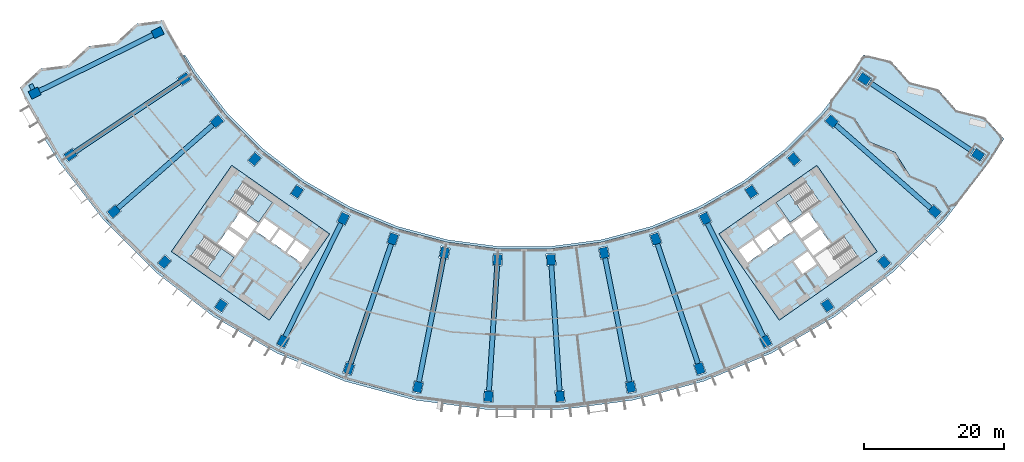
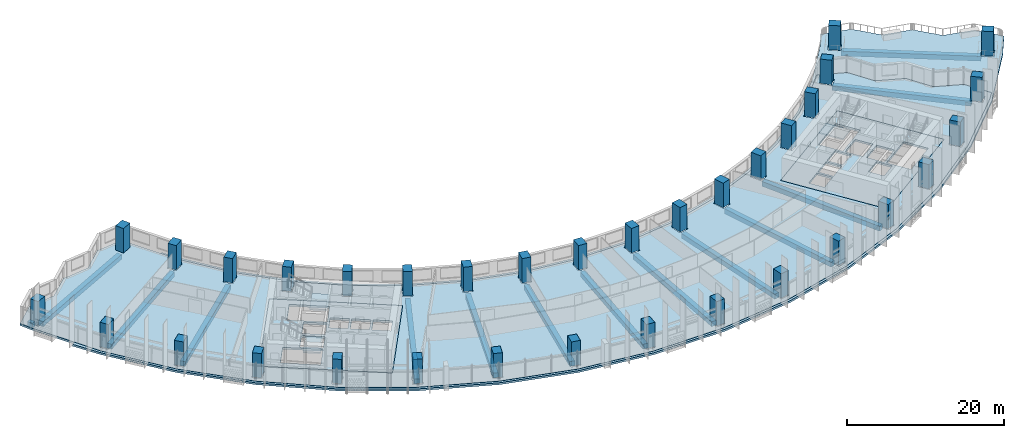
# One storey, part 1 of 33: 34 columns, 14 beams, 7 slabs, 3 elements without a shape of their own.
"""IFC4 building model written with IfcOpenShell, lengths in metres."""

from ifc_helpers import new_model, si_unit, direction, frame, origin, origin_2d, place, context, subcontext, project, spatial, polyline, rectangle, outline, extrude, material, layer, layer_set, material_profile, profile_set, type_object, element, aggregate, save


model = new_model("IFC4")

# Units and contexts
model_context = context("Model", 3, precision=1e-05, world=origin(), true_north=direction((0.0, 1.0)))
body_context = subcontext(model_context, "Body", "Model", "MODEL_VIEW")
ifc_project = project(units=[si_unit("LENGTHUNIT", "METRE"), si_unit("AREAUNIT", "SQUARE_METRE"), si_unit("VOLUMEUNIT", "CUBIC_METRE"), si_unit("PLANEANGLEUNIT", "RADIAN"), si_unit("MASSUNIT", "GRAM", prefix="KILO")], contexts=[model_context])

# Site, building, storey
site_placement = place(None, origin())
site = spatial("IfcSite", under=ifc_project, at=site_placement, CompositionType="ELEMENT")
building_placement = place(site_placement, origin())
building = spatial("IfcBuilding", under=site, at=building_placement, Name="Qamariyya Broadcast Tower", CompositionType="ELEMENT")
storey_placement = place(building_placement, frame((0.0, 0.0, 94.89990234375)))
storey = spatial("IfcBuildingStorey", under=building, at=storey_placement, Name="L20", CompositionType="ELEMENT", Elevation=94.89990234375)

# Columns
ifc_material_1 = material(Name="Concrete C70/85", Category="concrete")
ifc_material_profile_1 = material_profile(ifc_material_1, rectangle(XDim=1.199951171875, YDim=1.5, at=origin_2d()))
ifc_profile_set_1 = profile_set([ifc_material_profile_1], Name="Concrete C70/85")
column_type_1 = type_object("IfcColumnType", Name="RC column 1200 x 1500 C70/85", PredefinedType="COLUMN", material=ifc_profile_set_1)
for number, where, z_axis, x_axis, name in (
    (1, (-48.43310546875, -32.362060546875, 0.0), (0.0, 0.0, 1.0), (0.55557023302, -0.831469612303, 0.0), "Column C7 L20 B-R03"),
    (2, (-64.646728515625, -43.195556640625, 0.0), (0.0, 0.0, 1.0), (0.55557023302, -0.831469612303, 0.0), "Column C7 L20 C-R03"),
    (3, (-43.794677734375, -38.406982421875, 0.0), (0.0, 0.0, 1.0), (0.6593458151, -0.751839807479, 0.0), "Column C7 L20 B-R04"),
    (4, (-58.45556640625, -51.26416015625, 0.0), (0.0, 0.0, 1.0), (0.6593458151, -0.751839807479, 0.0), "Column C7 L20 C-R04"),
    (5, (-38.406982421875, -43.794677734375, 0.0), (0.0, 0.0, 1.0), (0.751839807479, -0.6593458151, 0.0), "Column C7 L20 B-R05"),
    (6, (-51.26416015625, -58.45556640625, 0.0), (0.0, 0.0, 1.0), (0.751839807479, -0.6593458151, 0.0), "Column C7 L20 C-R05"),
    (7, (-32.362060546875, -48.43310546875, 0.0), (0.0, 0.0, 1.0), (0.831469612303, -0.55557023302, 0.0), "Column C7 L20 B-R06"),
    (8, (-43.195556640625, -64.646728515625, 0.0), (0.0, 0.0, 1.0), (0.831469612303, -0.55557023302, 0.0), "Column C7 L20 C-R06"),
    (9, (-25.763427734375, -52.242919921875, 0.0), (0.0, 0.0, 1.0), (0.896872741533, -0.442288690219, 0.0), "Column C7 L20 B-R07"),
    (10, (-34.387939453125, -69.73193359375, 0.0), (0.0, 0.0, 1.0), (0.896872741533, -0.442288690219, 0.0), "Column C7 L20 C-R07"),
    (11, (-18.723876953125, -55.15869140625, 0.0), (0.0, 0.0, 1.0), (0.946930129495, -0.321439465303, 0.0), "Column C7 L20 B-R08"),
    (12, (-24.991943359375, -73.623779296875, 0.0), (0.0, 0.0, 1.0), (0.946930129495, -0.321439465303, 0.0), "Column C7 L20 C-R08"),
    (13, (-11.364013671875, -57.130859375, 0.0), (0.0, 0.0, 1.0), (0.980785280403, -0.195090322016, 0.0), "Column C7 L20 B-R09"),
    (14, (-15.168212890625, -76.256103515625, 0.0), (0.0, 0.0, 1.0), (0.980785280403, -0.195090322016, 0.0), "Column C7 L20 C-R09"),
    (15, (-3.809814453125, -58.125244140625, 0.0), (0.0, 0.0, 1.0), (0.997858923239, -0.06540312923, 0.0), "Column C7 L20 B-R10"),
    (16, (-5.085205078125, -77.58349609375, 0.0), (0.0, 0.0, 1.0), (0.997858923239, -0.06540312923, 0.0), "Column C7 L20 C-R10"),
    (17, (3.809814453125, -58.125244140625, 0.0), (0.0, 0.0, 1.0), (0.997858923239, 0.06540312923, 0.0), "Column C7 L20 B-R11"),
    (18, (5.085205078125, -77.58349609375, 0.0), (0.0, 0.0, 1.0), (0.997858923239, 0.06540312923, 0.0), "Column C7 L20 C-R11"),
    (19, (11.364013671875, -57.130859375, 0.0), (0.0, 0.0, 1.0), (0.980785280403, 0.195090322016, 0.0), "Column C7 L20 B-R12"),
    (20, (15.168212890625, -76.256103515625, 0.0), (0.0, 0.0, 1.0), (0.980785280403, 0.195090322016, 0.0), "Column C7 L20 C-R12"),
    (21, (18.723876953125, -55.15869140625, 0.0), (0.0, 0.0, 1.0), (0.946930129495, 0.321439465303, 0.0), "Column C7 L20 B-R13"),
    (22, (24.991943359375, -73.623779296875, 0.0), (0.0, 0.0, 1.0), (0.946930129495, 0.321439465303, 0.0), "Column C7 L20 C-R13"),
    (23, (25.763427734375, -52.242919921875, 0.0), (0.0, 0.0, 1.0), (0.896872741533, 0.442288690219, 0.0), "Column C7 L20 B-R14"),
    (24, (34.387939453125, -69.73193359375, 0.0), (0.0, 0.0, 1.0), (0.896872741533, 0.442288690219, 0.0), "Column C7 L20 C-R14"),
    (25, (32.362060546875, -48.43310546875, 0.0), (0.0, 0.0, 1.0), (0.831469612303, 0.55557023302, 0.0), "Column C7 L20 B-R15"),
    (26, (43.195556640625, -64.646728515625, 0.0), (0.0, 0.0, 1.0), (0.831469612303, 0.55557023302, 0.0), "Column C7 L20 C-R15"),
    (27, (38.406982421875, -43.794677734375, 0.0), (0.0, 0.0, 1.0), (0.751839807479, 0.6593458151, 0.0), "Column C7 L20 B-R16"),
    (28, (51.26416015625, -58.45556640625, 0.0), (0.0, 0.0, 1.0), (0.751839807479, 0.6593458151, 0.0), "Column C7 L20 C-R16"),
    (29, (43.794677734375, -38.406982421875, 0.0), (0.0, 0.0, 1.0), (0.6593458151, 0.751839807479, 0.0), "Column C7 L20 B-R17"),
    (30, (58.45556640625, -51.26416015625, 0.0), (0.0, 0.0, 1.0), (0.6593458151, 0.751839807479, 0.0), "Column C7 L20 C-R17"),
    (31, (48.43310546875, -32.362060546875, 0.0), (0.0, 0.0, 1.0), (0.55557023302, 0.831469612303, 0.0), "Column C7 L20 B-R18"),
    (32, (64.646728515625, -43.195556640625, 0.0), (0.0, 0.0, 1.0), (0.55557023302, 0.831469612303, 0.0), "Column C7 L20 C-R18"),
):
    element("IfcColumn", number, at=place(storey_placement, frame(where, z_axis=z_axis, x_axis=x_axis)), inside=storey, type_object=column_type_1, Name=name, PredefinedType="COLUMN", context=body_context, shape_type="SweptSolid", body=[
        extrude(rectangle(XDim=1.199951171875, YDim=1.5, at=origin_2d()), origin(), (0.0, 0.0, 1.0), 3.800048828125),
    ])
ifc_material_profile_2 = material_profile(ifc_material_1, rectangle(XDim=1.199951171875, YDim=1.5, at=origin_2d()))
ifc_profile_set_2 = profile_set([ifc_material_profile_2], Name="Concrete C70/85")
column_type_2 = type_object("IfcColumnType", Name="RC column 1200 x 1500 C70/85 on transfer truss", PredefinedType="COLUMN", material=ifc_profile_set_2)
for number, where, z_axis, x_axis, name in (
    (33, (-52.242919921875, -25.763427734375, -0.2998046875), (0.0, 0.0, 1.0), (0.442288690219, -0.896872741533, 0.0), "Column C6 L20 B-R02"),
    (34, (-69.73193359375, -34.387939453125, -0.2998046875), (0.0, 0.0, 1.0), (0.442288690219, -0.896872741533, 0.0), "Column C6 L20 C-R02"),
):
    element("IfcColumn", number, at=place(storey_placement, frame(where, z_axis=z_axis, x_axis=x_axis)), inside=storey, type_object=column_type_2, Name=name, PredefinedType="COLUMN", context=body_context, shape_type="SweptSolid", body=[
        extrude(rectangle(XDim=1.199951171875, YDim=1.5, at=origin_2d()), origin(), (0.0, 0.0, 1.0), 4.099853515625),
    ])

# Beams
ifc_material_2 = material(Name="Concrete C50/60", Category="concrete")
ifc_material_profile_3 = material_profile(ifc_material_2, rectangle(XDim=0.60009765625, YDim=0.75, at=origin_2d()))
ifc_profile_set_3 = profile_set([ifc_material_profile_3], Name="Concrete C50/60")
beam_type_1 = type_object("IfcBeamType", Name="RC horn beam 600 x 750 C50/60", PredefinedType="BEAM", material=ifc_profile_set_3)
beam_1_placement = place(storey_placement, frame((-69.99169921875, -33.846923828125, -0.6748046875), z_axis=(-0.432975850552, 0.90140552075, 0.0), x_axis=(-0.90140552075, -0.432975850552, 0.0)))
element("IfcBeam", 35, at=beam_1_placement, inside=storey, type_object=beam_type_1, Name="Horn beam B14 L20 W C-R02", PredefinedType="BEAM", context=body_context, shape_type="SweptSolid", body=[
    extrude(rectangle(XDim=0.60009765625, YDim=0.75, at=origin_2d()), origin(), (0.0, 0.0, 1.0), 0.778076171875),
])
ifc_material_profile_4 = material_profile(ifc_material_2, rectangle(XDim=0.699951171875, YDim=0.75, at=origin_2d()))
ifc_profile_set_4 = profile_set([ifc_material_profile_4], Name="Concrete C50/60")
beam_type_2 = type_object("IfcBeamType", Name="RC radial beam 700 x 750 C50/60", PredefinedType="BEAM", material=ifc_profile_set_4)
beam_2_placement = place(storey_placement, frame((-52.91552734375, -26.094970703125, -0.6748046875), z_axis=(-0.896871386501, -0.442291437941, 0.0), x_axis=(0.442291437941, -0.896871386501, 0.0)))
element("IfcBeam", 36, at=beam_2_placement, inside=storey, type_object=beam_type_2, Name="Radial beam B13 L20 R02 B-C", PredefinedType="BEAM", context=body_context, shape_type="SweptSolid", body=[
    extrude(rectangle(XDim=0.699951171875, YDim=0.75, at=origin_2d()), origin(), (0.0, 0.0, 1.0), 17.999755859375),
])
beam_3_placement = place(storey_placement, frame((-49.056640625, -32.778564453125, -0.6748046875), z_axis=(-0.831471836778, -0.555566903843, 0.0), x_axis=(0.555566903843, -0.831471836778, 0.0)))
element("IfcBeam", 37, at=beam_3_placement, inside=storey, type_object=beam_type_2, Name="Radial beam B13 L20 R03 B-C", PredefinedType="BEAM", context=body_context, shape_type="SweptSolid", body=[
    extrude(rectangle(XDim=0.699951171875, YDim=0.75, at=origin_2d()), origin(), (0.0, 0.0, 1.0), 18.0),
])
for number, where, z_axis, x_axis, name in (
    (38, (-44.358642578125, -38.9013671875, -0.6748046875), (-0.751837671483, -0.659348250729, 0.0), (0.659348250729, -0.751837671483, 0.0), "Radial beam B13 L20 R04 B-C"),
    (39, (-26.094970703125, -52.91552734375, -0.6748046875), (-0.442291437941, -0.896871386501, 0.0), (0.896871386501, -0.442291437941, 0.0), "Radial beam B13 L20 R07 B-C"),
):
    element("IfcBeam", number, at=place(storey_placement, frame(where, z_axis=z_axis, x_axis=x_axis)), inside=storey, type_object=beam_type_2, Name=name, PredefinedType="BEAM", context=body_context, shape_type="SweptSolid", body=[
        extrude(rectangle(XDim=0.699951171875, YDim=0.75, at=origin_2d()), origin(), (0.0, 0.0, 1.0), 17.999755859375),
    ])
beam_4_placement = place(storey_placement, frame((-18.96484375, -55.868896484375, -0.6748046875), z_axis=(-0.321439476461, -0.946930125707, 0.0), x_axis=(0.946930125707, -0.321439476461, 0.0)))
element("IfcBeam", 40, at=beam_4_placement, inside=storey, type_object=beam_type_2, Name="Radial beam B13 L20 R08 B-C", PredefinedType="BEAM", context=body_context, shape_type="SweptSolid", body=[
    extrude(rectangle(XDim=0.699951171875, YDim=0.75, at=origin_2d()), origin(), (0.0, 0.0, 1.0), 18.0),
])
beam_5_placement = place(storey_placement, frame((-11.51025390625, -57.8662109375, -0.6748046875), z_axis=(-0.195093569287, -0.980784634475, 0.0), x_axis=(0.980784634475, -0.195093569287, 0.0)))
element("IfcBeam", 41, at=beam_5_placement, inside=storey, type_object=beam_type_2, Name="Radial beam B13 L20 R09 B-C", PredefinedType="BEAM", context=body_context, shape_type="SweptSolid", body=[
    extrude(rectangle(XDim=0.699951171875, YDim=0.75, at=origin_2d()), origin(), (0.0, 0.0, 1.0), 18.000244140625),
])
for number, where, z_axis, x_axis, name in (
    (42, (-3.85888671875, -58.873779296875, -0.6748046875), (-0.065402689504, -0.99785895206, 0.0), (0.99785895206, -0.065402689504, 0.0), "Radial beam B13 L20 R10 B-C"),
    (43, (3.85888671875, -58.873779296875, -0.6748046875), (0.065402689504, -0.99785895206, 0.0), (0.99785895206, 0.065402689504, 0.0), "Radial beam B13 L20 R11 B-C"),
):
    element("IfcBeam", number, at=place(storey_placement, frame(where, z_axis=z_axis, x_axis=x_axis)), inside=storey, type_object=beam_type_2, Name=name, PredefinedType="BEAM", context=body_context, shape_type="SweptSolid", body=[
        extrude(rectangle(XDim=0.699951171875, YDim=0.75, at=origin_2d()), origin(), (0.0, 0.0, 1.0), 18.0),
    ])
beam_6_placement = place(storey_placement, frame((11.51025390625, -57.8662109375, -0.6748046875), z_axis=(0.195093569287, -0.980784634475, 0.0), x_axis=(0.980784634475, 0.195093569287, 0.0)))
element("IfcBeam", 44, at=beam_6_placement, inside=storey, type_object=beam_type_2, Name="Radial beam B13 L20 R12 B-C", PredefinedType="BEAM", context=body_context, shape_type="SweptSolid", body=[
    extrude(rectangle(XDim=0.699951171875, YDim=0.75, at=origin_2d()), origin(), (0.0, 0.0, 1.0), 18.000244140625),
])
beam_7_placement = place(storey_placement, frame((18.96484375, -55.868896484375, -0.6748046875), z_axis=(0.321439476461, -0.946930125707, 0.0), x_axis=(0.946930125707, 0.321439476461, 0.0)))
element("IfcBeam", 45, at=beam_7_placement, inside=storey, type_object=beam_type_2, Name="Radial beam B13 L20 R13 B-C", PredefinedType="BEAM", context=body_context, shape_type="SweptSolid", body=[
    extrude(rectangle(XDim=0.699951171875, YDim=0.75, at=origin_2d()), origin(), (0.0, 0.0, 1.0), 18.0),
])
for number, where, z_axis, x_axis, name in (
    (46, (26.094970703125, -52.91552734375, -0.6748046875), (0.442291437941, -0.896871386501, 0.0), (0.896871386501, 0.442291437941, 0.0), "Radial beam B13 L20 R14 B-C"),
    (47, (44.358642578125, -38.9013671875, -0.6748046875), (0.751837671483, -0.659348250729, 0.0), (0.659348250729, 0.751837671483, 0.0), "Radial beam B13 L20 R17 B-C"),
):
    element("IfcBeam", number, at=place(storey_placement, frame(where, z_axis=z_axis, x_axis=x_axis)), inside=storey, type_object=beam_type_2, Name=name, PredefinedType="BEAM", context=body_context, shape_type="SweptSolid", body=[
        extrude(rectangle(XDim=0.699951171875, YDim=0.75, at=origin_2d()), origin(), (0.0, 0.0, 1.0), 17.999755859375),
    ])
beam_8_placement = place(storey_placement, frame((49.139892578125, -32.834228515625, -0.6748046875), z_axis=(0.831467440413, -0.555573483469, 0.0), x_axis=(0.555573483469, 0.831467440413, 0.0)))
element("IfcBeam", 48, at=beam_8_placement, inside=storey, type_object=beam_type_2, Name="Radial beam B13 L20 R18 B-C", PredefinedType="BEAM", context=body_context, shape_type="SweptSolid", body=[
    extrude(rectangle(XDim=0.699951171875, YDim=0.75, at=origin_2d()), origin(), (0.0, 0.0, 1.0), 17.7998046875),
])

# Slabs
ifc_material_3 = material(Name="Concrete C40/50", Category="concrete")
ifc_layer_1 = layer(ifc_material_3, 0.300048828125)
ifc_layer_set_1 = layer_set([ifc_layer_1], Name="Core floor slab 300 mm Concrete C40/50")
slab_type_1 = type_object("IfcSlabType", Name="Core floor slab 300 mm Concrete C40/50", PredefinedType="FLOOR", material=ifc_layer_set_1)
slab_1_placement = place(storey_placement, frame((0.0, 0.0, -0.2998046875)))
element("IfcSlab", 49, at=slab_1_placement, inside=storey, type_object=slab_type_1, Name="k-W-L20-slab", PredefinedType="FLOOR", context=body_context, shape_type="SweptSolid", body=[
    extrude(outline(polyline([(-50.286376953125, -56.95751953125), (-36.32373046875, -66.734375), (-27.719970703125, -54.447021484375), (-41.6826171875, -44.67041015625), (-50.286376953125, -56.95751953125)]), holes=[polyline([(-31.80859375, -58.542724609375), (-33.8154296875, -57.137451171875), (-32.5537109375, -55.335205078125), (-30.546630859375, -56.740478515625), (-31.80859375, -58.542724609375)]), polyline([(-34.061279296875, -56.96533203125), (-36.068115234375, -55.56005859375), (-34.806396484375, -53.758056640625), (-32.79931640625, -55.163330078125), (-34.061279296875, -56.96533203125)]), polyline([(-36.31396484375, -55.387939453125), (-38.32080078125, -53.982666015625), (-37.058837890625, -52.1806640625), (-35.052001953125, -53.5859375), (-36.31396484375, -55.387939453125)]), polyline([(-39.742431640625, -55.489990234375), (-42.199951171875, -53.769287109375), (-43.6337890625, -55.817138671875), (-41.17626953125, -57.537841796875), (-39.742431640625, -55.489990234375)]), polyline([(-39.45556640625, -55.080322265625), (-41.9130859375, -53.359619140625), (-40.47900390625, -51.311767578125), (-38.021728515625, -53.032470703125), (-39.45556640625, -55.080322265625)]), polyline([(-42.06103515625, -49.837890625), (-37.849609375, -52.78662109375), (-35.870849609375, -49.960693359375), (-40.082275390625, -47.01171875), (-42.06103515625, -49.837890625)]), polyline([(-47.538818359375, -57.66064453125), (-43.3271484375, -60.609619140625), (-41.348388671875, -57.783447265625), (-45.559814453125, -54.834716796875), (-47.538818359375, -57.66064453125)])]), origin(), (0.0, 0.0, 1.0), 0.2998046875),
])
slab_2_placement = place(storey_placement, frame((0.0, 0.0, -0.2998046875)))
element("IfcSlab", 50, at=slab_2_placement, inside=storey, type_object=slab_type_1, Name="k-E-L20-slab", PredefinedType="FLOOR", context=body_context, shape_type="SweptSolid", body=[
    extrude(outline(polyline([(36.32373046875, -66.734375), (50.286376953125, -56.95751953125), (41.6826171875, -44.67041015625), (27.719970703125, -54.447021484375), (36.32373046875, -66.734375)]), holes=[polyline([(31.80859375, -58.542724609375), (33.8154296875, -57.137451171875), (32.5537109375, -55.335205078125), (30.546630859375, -56.740478515625), (31.80859375, -58.542724609375)]), polyline([(34.061279296875, -56.96533203125), (36.068115234375, -55.56005859375), (34.806396484375, -53.758056640625), (32.79931640625, -55.163330078125), (34.061279296875, -56.96533203125)]), polyline([(36.31396484375, -55.387939453125), (38.32080078125, -53.982666015625), (37.058837890625, -52.1806640625), (35.052001953125, -53.5859375), (36.31396484375, -55.387939453125)]), polyline([(38.378662109375, -58.3369140625), (40.3857421875, -56.931640625), (41.6474609375, -58.73388671875), (39.640625, -60.13916015625), (38.378662109375, -58.3369140625)]), polyline([(39.742431640625, -55.489990234375), (42.199951171875, -53.769287109375), (43.6337890625, -55.817138671875), (41.17626953125, -57.537841796875), (39.742431640625, -55.489990234375)]), polyline([(39.45556640625, -55.080322265625), (41.9130859375, -53.359619140625), (40.47900390625, -51.311767578125), (38.021728515625, -53.032470703125), (39.45556640625, -55.080322265625)]), polyline([(40.082275390625, -47.01171875), (35.870849609375, -49.960693359375), (37.849609375, -52.78662109375), (42.06103515625, -49.837890625), (40.082275390625, -47.01171875)]), polyline([(45.559814453125, -54.834716796875), (41.348388671875, -57.783447265625), (43.3271484375, -60.609619140625), (47.538818359375, -57.66064453125), (45.559814453125, -54.834716796875)])]), origin(), (0.0, 0.0, 1.0), 0.2998046875),
])
ifc_layer_2 = layer(ifc_material_3, 0.300048828125)
ifc_layer_set_2 = layer_set([ifc_layer_2], Name="Post-tensioned floor slab 300 C40/50")
slab_type_2 = type_object("IfcSlabType", Name="Post-tensioned floor slab 300 C40/50", PredefinedType="FLOOR", material=ifc_layer_set_2)
slab_3_placement = place(storey_placement, frame((0.0, 0.0, -0.2998046875)))
element("IfcSlab", 51, at=slab_3_placement, inside=storey, type_object=slab_type_2, Name="Floor slab S4 L20", PredefinedType="FLOOR", context=body_context, shape_type="SweptSolid", body=[
    extrude(outline(polyline([(-68.927978515625, -30.890380859375), (-71.8408203125, -33.576416015625), (-71.1220703125, -35.073486328125), (-65.935546875, -44.056640625), (-59.620849609375, -52.2861328125), (-52.2861328125, -59.620849609375), (-44.056640625, -65.935546875), (-35.073486328125, -71.1220703125), (-25.490234375, -75.091552734375), (-15.470703125, -77.7763671875), (-5.1865234375, -79.130126953125), (5.1865234375, -79.130126953125), (15.470703125, -77.7763671875), (25.490234375, -75.091552734375), (35.073486328125, -71.1220703125), (44.056640625, -65.935546875), (52.2861328125, -59.620849609375), (59.620849609375, -52.2861328125), (60.702880859375, -51.026123046875), (58.584228515625, -47.677734375), (54.936279296875, -46.1787109375), (52.81689453125, -42.82958984375), (49.16943359375, -41.331298828125), (47.04931640625, -37.9814453125), (43.40283203125, -36.48388671875), (42.62939453125, -37.385009765625), (37.385009765625, -42.62939453125), (31.500732421875, -47.144287109375), (25.077880859375, -50.852783203125), (18.2255859375, -53.69091796875), (11.0615234375, -55.610595703125), (3.708251953125, -56.57861328125), (-3.708251953125, -56.57861328125), (-11.0615234375, -55.610595703125), (-18.2255859375, -53.69091796875), (-25.077880859375, -50.852783203125), (-31.500732421875, -47.144287109375), (-37.385009765625, -42.62939453125), (-42.62939453125, -37.385009765625), (-47.144287109375, -31.500732421875), (-50.852783203125, -25.077880859375), (-51.36669921875, -24.00732421875), (-55.2763671875, -24.510009765625), (-58.19140625, -27.197021484375), (-62.102294921875, -27.7001953125), (-65.01611328125, -30.38671875), (-68.927978515625, -30.890380859375)]), holes=[polyline([(-5.789306640625, -78.38916015625), (-5.67822265625, -76.69287109375), (-4.380859375, -76.77783203125), (-4.4921875, -78.47412109375), (-5.789306640625, -78.38916015625)]), polyline([(-15.9716796875, -76.962890625), (-15.639892578125, -75.295654296875), (-14.364990234375, -75.54931640625), (-14.696533203125, -77.216552734375), (-15.9716796875, -76.962890625)]), polyline([(-25.880615234375, -74.2197265625), (-25.334228515625, -72.610107421875), (-24.103271484375, -73.02783203125), (-24.649658203125, -74.6376953125), (-25.880615234375, -74.2197265625)]), polyline([(-35.346923828125, -70.206787109375), (-34.594970703125, -68.68212890625), (-33.428955078125, -69.257080078125), (-34.180908203125, -70.78173828125), (-35.346923828125, -70.206787109375)]), polyline([(-44.208251953125, -64.992431640625), (-43.263916015625, -63.578857421875), (-42.182861328125, -64.301025390625), (-43.12744140625, -65.714599609375), (-44.208251953125, -64.992431640625)]), polyline([(-52.313232421875, -58.666015625), (-51.1923828125, -57.387939453125), (-50.215087890625, -58.2451171875), (-51.3359375, -59.523193359375), (-52.313232421875, -58.666015625)]), polyline([(-12.167236328125, -57.837646484375), (-11.835693359375, -56.170166015625), (-10.560791015625, -56.423828125), (-10.892333984375, -58.09130859375), (-12.167236328125, -57.837646484375)]), polyline([(-41.6826171875, -44.67041015625), (-27.719970703125, -54.447021484375), (-36.32373046875, -66.734375), (-50.286376953125, -56.95751953125), (-41.6826171875, -44.67041015625)]), polyline([(-19.066162109375, -54.144775390625), (-17.835205078125, -54.562744140625), (-18.381591796875, -56.172607421875), (-19.612548828125, -55.754638671875), (-19.066162109375, -54.144775390625)]), polyline([(-26.72216796875, -52.7177734375), (-25.970458984375, -51.193115234375), (-24.804443359375, -51.76806640625), (-25.556396484375, -53.292724609375), (-26.72216796875, -52.7177734375)]), polyline([(-59.523193359375, -51.3359375), (-58.2451171875, -50.215087890625), (-57.387939453125, -51.1923828125), (-58.666015625, -52.313232421875), (-59.523193359375, -51.3359375)]), polyline([(-33.374755859375, -48.77880859375), (-32.43017578125, -47.365234375), (-31.349365234375, -48.08740234375), (-32.293701171875, -49.5009765625), (-33.374755859375, -48.77880859375)]), polyline([(-39.4560546875, -44.005126953125), (-38.335205078125, -42.72705078125), (-37.357666015625, -43.584228515625), (-38.478759765625, -44.8623046875), (-39.4560546875, -44.005126953125)]), polyline([(-65.714599609375, -43.12744140625), (-64.301025390625, -42.182861328125), (-63.578857421875, -43.263916015625), (-64.992431640625, -44.208251953125), (-65.714599609375, -43.12744140625)]), polyline([(-44.8623046875, -38.478759765625), (-43.584228515625, -37.357666015625), (-42.72705078125, -38.335205078125), (-44.005126953125, -39.4560546875), (-44.8623046875, -38.478759765625)]), polyline([(-70.669921875, -34.181640625), (-69.324462890625, -33.51806640625), (-68.7939453125, -34.59423828125), (-70.13916015625, -35.2578125), (-70.669921875, -34.181640625)]), polyline([(-48.08740234375, -31.349365234375), (-47.365234375, -32.43017578125), (-48.77880859375, -33.374755859375), (-49.5009765625, -32.293701171875), (-48.08740234375, -31.349365234375)]), polyline([(-51.83544921875, -24.8935546875), (-51.3046875, -25.9697265625), (-52.650146484375, -26.633056640625), (-53.180908203125, -25.556884765625), (-51.83544921875, -24.8935546875)]), polyline([(4.4921875, -78.47412109375), (4.380859375, -76.77783203125), (5.67822265625, -76.69287109375), (5.789306640625, -78.38916015625), (4.4921875, -78.47412109375)]), polyline([(14.696533203125, -77.216552734375), (14.364990234375, -75.54931640625), (15.639892578125, -75.295654296875), (15.9716796875, -76.962890625), (14.696533203125, -77.216552734375)]), polyline([(24.649658203125, -74.6376953125), (24.103271484375, -73.02783203125), (25.334228515625, -72.610107421875), (25.880615234375, -74.2197265625), (24.649658203125, -74.6376953125)]), polyline([(34.180908203125, -70.78173828125), (33.428955078125, -69.257080078125), (34.594970703125, -68.68212890625), (35.346923828125, -70.206787109375), (34.180908203125, -70.78173828125)]), polyline([(43.12744140625, -65.714599609375), (42.182861328125, -64.301025390625), (43.263916015625, -63.578857421875), (44.208251953125, -64.992431640625), (43.12744140625, -65.714599609375)]), polyline([(51.3359375, -59.523193359375), (50.215087890625, -58.2451171875), (51.1923828125, -57.387939453125), (52.313232421875, -58.666015625), (51.3359375, -59.523193359375)]), polyline([(3.216796875, -59.015869140625), (3.10546875, -57.319580078125), (4.40283203125, -57.234619140625), (4.513916015625, -58.930908203125), (3.216796875, -59.015869140625)]), polyline([(-4.40283203125, -57.234619140625), (-3.10546875, -57.319580078125), (-3.216796875, -59.015869140625), (-4.513916015625, -58.930908203125), (-4.40283203125, -57.234619140625)]), polyline([(10.560791015625, -56.423828125), (11.835693359375, -56.170166015625), (12.167236328125, -57.837646484375), (10.892333984375, -58.09130859375), (10.560791015625, -56.423828125)]), polyline([(36.32373046875, -66.734375), (27.719970703125, -54.447021484375), (41.6826171875, -44.67041015625), (50.286376953125, -56.95751953125), (36.32373046875, -66.734375)]), polyline([(18.381591796875, -56.172607421875), (17.835205078125, -54.562744140625), (19.066162109375, -54.144775390625), (19.612548828125, -55.754638671875), (18.381591796875, -56.172607421875)]), polyline([(25.556396484375, -53.292724609375), (24.804443359375, -51.76806640625), (25.970458984375, -51.193115234375), (26.72216796875, -52.7177734375), (25.556396484375, -53.292724609375)]), polyline([(58.666015625, -52.313232421875), (57.387939453125, -51.1923828125), (58.2451171875, -50.215087890625), (59.523193359375, -51.3359375), (58.666015625, -52.313232421875)]), polyline([(32.293701171875, -49.5009765625), (31.349365234375, -48.08740234375), (32.43017578125, -47.365234375), (33.374755859375, -48.77880859375), (32.293701171875, -49.5009765625)]), polyline([(38.478759765625, -44.8623046875), (37.357666015625, -43.584228515625), (38.335205078125, -42.72705078125), (39.4560546875, -44.005126953125), (38.478759765625, -44.8623046875)]), polyline([(42.72705078125, -38.335205078125), (43.584228515625, -37.357666015625), (44.8623046875, -38.478759765625), (44.005126953125, -39.4560546875), (42.72705078125, -38.335205078125)])]), origin(), (0.0, 0.0, 1.0), 0.2998046875),
])
ifc_layer_3 = layer(ifc_material_3, 0.300048828125)
ifc_layer_set_3 = layer_set([ifc_layer_3], Name="Roof slab 300 C40/50")
slab_type_3 = type_object("IfcSlabType", Name="Roof slab 300 C40/50", PredefinedType="ROOF", material=ifc_layer_set_3)
slab_4_placement = place(storey_placement, frame((0.0, 0.0, -0.2998046875)))
element("IfcSlab", 52, at=slab_4_placement, inside=storey, type_object=slab_type_3, Name="Terrace slab S6 L20", PredefinedType="ROOF", context=body_context, shape_type="SweptSolid", body=[
    extrude(outline(polyline([(-42.3662109375, -37.154052734375), (-46.853271484375, -31.306396484375), (-48.348388671875, -28.94384765625), (-48.5869140625, -29.001953125), (-47.144287109375, -31.500732421875), (-42.62939453125, -37.385009765625), (-37.385009765625, -42.62939453125), (-31.500732421875, -47.144287109375), (-25.077880859375, -50.852783203125), (-18.2255859375, -53.69091796875), (-11.0615234375, -55.610595703125), (-3.708251953125, -56.57861328125), (3.708251953125, -56.57861328125), (11.0615234375, -55.610595703125), (18.2255859375, -53.69091796875), (25.077880859375, -50.852783203125), (31.500732421875, -47.144287109375), (37.385009765625, -42.62939453125), (42.62939453125, -37.385009765625), (43.40283203125, -36.48388671875), (47.04931640625, -37.9814453125), (49.16943359375, -41.331298828125), (52.81689453125, -42.82958984375), (54.936279296875, -46.1787109375), (58.584228515625, -47.677734375), (60.702880859375, -51.026123046875), (59.620849609375, -52.2861328125), (52.2861328125, -59.620849609375), (44.056640625, -65.935546875), (35.073486328125, -71.1220703125), (25.490234375, -75.091552734375), (15.470703125, -77.7763671875), (5.1865234375, -79.130126953125), (-5.1865234375, -79.130126953125), (-15.470703125, -77.7763671875), (-25.490234375, -75.091552734375), (-35.073486328125, -71.1220703125), (-44.056640625, -65.935546875), (-52.2861328125, -59.620849609375), (-59.620849609375, -52.2861328125), (-65.935546875, -44.056640625), (-67.9814453125, -40.51318359375), (-68.33984375, -40.911865234375), (-66.2265625, -44.251220703125), (-59.884033203125, -52.516845703125), (-52.516845703125, -59.884033203125), (-44.251220703125, -66.2265625), (-35.228271484375, -71.43603515625), (-25.6025390625, -75.423095703125), (-15.5390625, -78.11962890625), (-5.20947265625, -79.4794921875), (5.20947265625, -79.4794921875), (15.5390625, -78.11962890625), (25.6025390625, -75.423095703125), (35.228271484375, -71.43603515625), (44.251220703125, -66.2265625), (52.516845703125, -59.884033203125), (59.884033203125, -52.516845703125), (66.2265625, -44.251220703125), (68.33984375, -40.911865234375), (65.6162109375, -37.8828125), (61.676025390625, -36.922607421875), (58.951416015625, -33.892822265625), (55.01220703125, -32.933349609375), (52.286376953125, -29.90283203125), (48.348388671875, -28.94384765625), (46.853271484375, -31.306396484375), (42.3662109375, -37.154052734375), (37.154052734375, -42.3662109375), (31.306396484375, -46.853271484375), (24.9228515625, -50.538818359375), (18.113037109375, -53.359619140625), (10.993408203125, -55.267333984375), (3.685546875, -56.229248046875), (-3.685546875, -56.229248046875), (-10.993408203125, -55.267333984375), (-18.113037109375, -53.359619140625), (-24.9228515625, -50.538818359375), (-31.306396484375, -46.853271484375), (-37.154052734375, -42.3662109375), (-42.3662109375, -37.154052734375)]), holes=[polyline([(64.992431640625, -44.208251953125), (63.578857421875, -43.263916015625), (64.301025390625, -42.182861328125), (65.714599609375, -43.12744140625), (64.992431640625, -44.208251953125)]), polyline([(48.77880859375, -33.374755859375), (47.365234375, -32.43017578125), (48.08740234375, -31.349365234375), (49.5009765625, -32.293701171875), (48.77880859375, -33.374755859375)])]), origin(), (0.0, 0.0, 1.0), 0.2998046875),
])

# Stair, slab
stair_type = type_object("IfcStairType", Name="Exit stair 22 risers of 173 mm", PredefinedType="HALF_TURN_STAIR", material=ifc_material_2)
stair_1_placement = place(storey_placement, origin())
stair_1 = element("IfcStair", 53, at=stair_1_placement, inside=storey, type_object=stair_type, Name="L20 Stair W2", PredefinedType="HALF_TURN_STAIR")
ifc_layer_4 = layer(ifc_material_2, 0.199951171875)
ifc_layer_set_4 = layer_set([ifc_layer_4], Name="Stair landing")
slab_type_4 = type_object("IfcSlabType", Name="Stair landing", PredefinedType="LANDING", material=ifc_layer_set_4)
slab_5_placement = place(storey_placement, frame((0.0, 0.0, 1.7001953125)))
slab_5 = element("IfcSlab", 54, at=slab_5_placement, type_object=slab_type_4, Name="ST-W2 landing 1", PredefinedType="LANDING", context=body_context, shape_type="SweptSolid", body=[
    extrude(outline(polyline([(-39.692138671875, -51.49658203125), (-37.849609375, -52.78662109375), (-35.870849609375, -49.960693359375), (-37.71337890625, -48.67041015625), (-39.692138671875, -51.49658203125)])), origin(), (0.0, 0.0, 1.0), 0.199951171875),
])
aggregate(stair_1, [slab_5])

stair_2_placement = place(storey_placement, origin())
stair_2 = element("IfcStair", 55, at=stair_2_placement, inside=storey, type_object=stair_type, Name="L20 Stair W1", PredefinedType="HALF_TURN_STAIR")
slab_6_placement = place(storey_placement, frame((0.0, 0.0, 1.7001953125)))
slab_6 = element("IfcSlab", 56, at=slab_6_placement, type_object=slab_type_4, Name="ST-W1 landing 1", PredefinedType="LANDING", context=body_context, shape_type="SweptSolid", body=[
    extrude(outline(polyline([(-45.169677734375, -59.319580078125), (-43.3271484375, -60.609619140625), (-41.348388671875, -57.783447265625), (-43.19091796875, -56.493408203125), (-45.169677734375, -59.319580078125)])), origin(), (0.0, 0.0, 1.0), 0.199951171875),
])
aggregate(stair_2, [slab_6])

stair_3_placement = place(storey_placement, origin())
stair_3 = element("IfcStair", 57, at=stair_3_placement, inside=storey, type_object=stair_type, Name="L20 Stair E2", PredefinedType="HALF_TURN_STAIR")
slab_7_placement = place(storey_placement, frame((0.0, 0.0, 1.7001953125)))
slab_7 = element("IfcSlab", 58, at=slab_7_placement, type_object=slab_type_4, Name="ST-E2 landing 1", PredefinedType="LANDING", context=body_context, shape_type="SweptSolid", body=[
    extrude(outline(polyline([(37.71337890625, -48.67041015625), (35.870849609375, -49.960693359375), (37.849609375, -52.78662109375), (39.692138671875, -51.49658203125), (37.71337890625, -48.67041015625)])), origin(), (0.0, 0.0, 1.0), 0.199951171875),
])
aggregate(stair_3, [slab_7])

save(model, "model.ifc")
